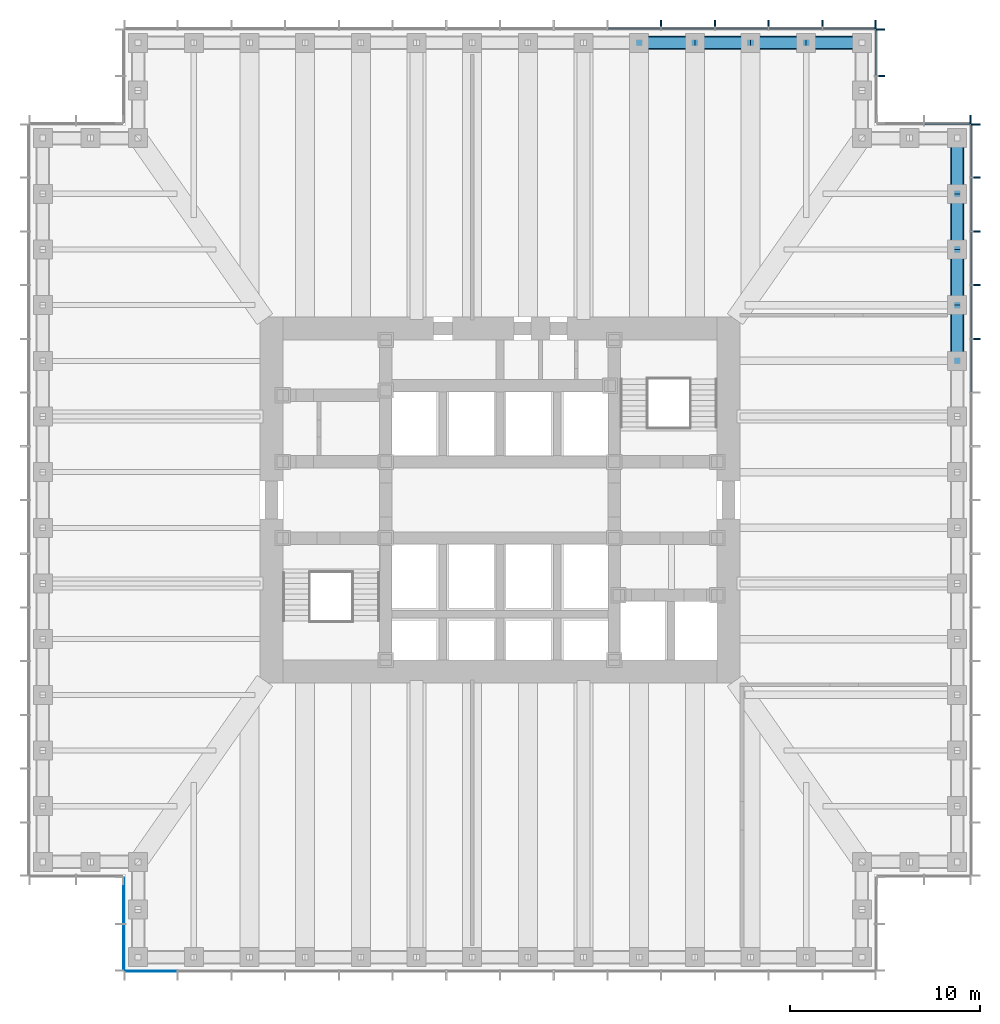
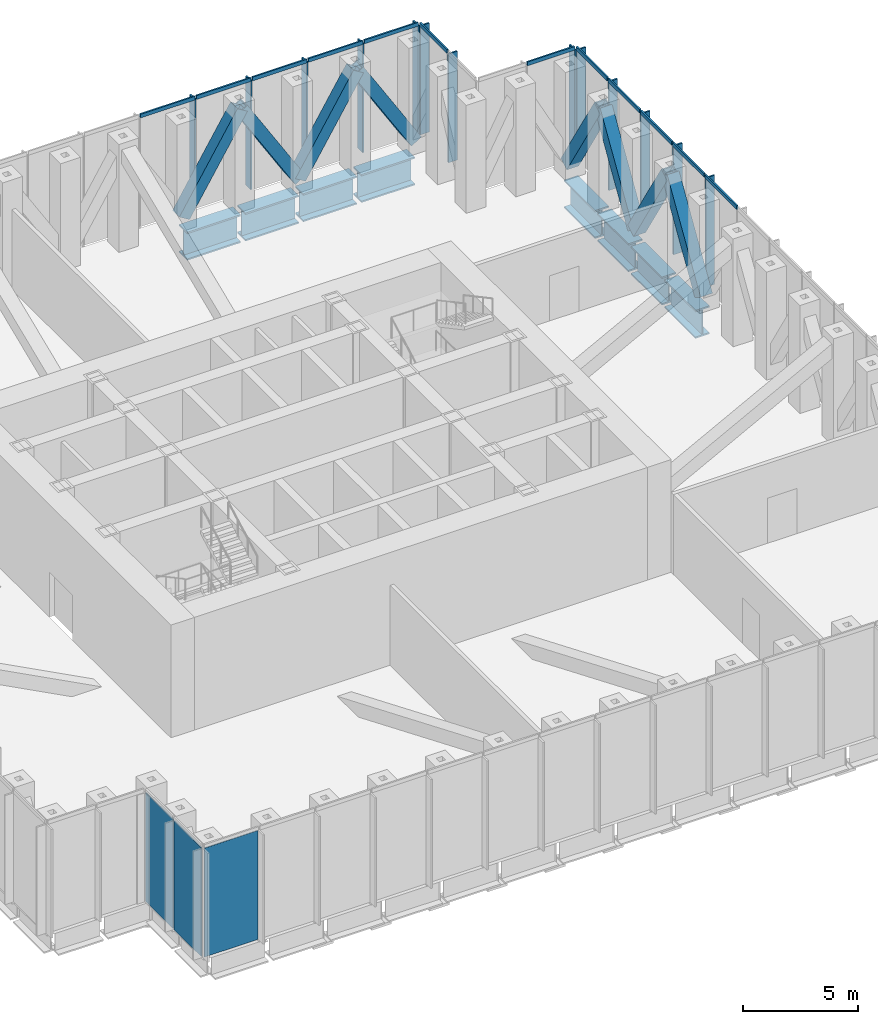
# One storey, part 6 of 15: 33 members, 8 beams, 3 plates, 6 elements without a shape of their own.
"""IFC4 building model written with IfcOpenShell, lengths in metres."""

from ifc_helpers import new_model, si_unit, direction, frame, origin, origin_2d, place, context, subcontext, project, spatial, rectangle, hollow_rectangle, i_section, extrude, material, layer, layer_set, material_profile, profile_set, type_object, element, aggregate, save


model = new_model("IFC4")

# Units and contexts
model_context = context("Model", 3, precision=1e-05, world=origin(), true_north=direction((0.0, 1.0)))
body_context = subcontext(model_context, "Body", "Model", "MODEL_VIEW")
ifc_project = project(units=[si_unit("LENGTHUNIT", "METRE"), si_unit("AREAUNIT", "SQUARE_METRE"), si_unit("VOLUMEUNIT", "CUBIC_METRE"), si_unit("PLANEANGLEUNIT", "RADIAN"), si_unit("MASSUNIT", "GRAM", prefix="KILO")], contexts=[model_context])

# Site, building, storey
site_placement = place(None, origin())
site = spatial("IfcSite", under=ifc_project, at=site_placement, CompositionType="ELEMENT")
building_placement = place(site_placement, origin())
building = spatial("IfcBuilding", under=site, at=building_placement, Name="Daluyong Arena Tower", CompositionType="ELEMENT")
storey_placement = place(building_placement, frame((0.0, 0.0, 102.10009765625)))
storey = spatial("IfcBuildingStorey", under=building, at=storey_placement, Name="L22", CompositionType="ELEMENT", Elevation=102.10009765625)

# Members
ifc_material_1 = material(Name="Steel ASTM A572 Grade 50", Category="steel")
ifc_material_profile_1 = material_profile(ifc_material_1, hollow_rectangle(XDim=0.60009765625, YDim=0.60009765625, WallThickness=0.05, at=origin_2d()))
ifc_profile_set_1 = profile_set([ifc_material_profile_1], Name="Steel ASTM A572 Grade 50")
member_type_1 = type_object("IfcMemberType", Name="Belt truss diagonal BX600X50", PredefinedType="BRACE", material=ifc_profile_set_1)
for number, where, z_axis, x_axis, name in (
    (1, (80.0, 87.3076171875, 0.5), (0.0, 0.524099867959, 0.851656813749), (-1.0, 0.0, 0.0), "belt truss diagonal BT1"),
    (2, (80.0, 93.15380859375, 0.5), (0.0, -0.524099867959, 0.851656813749), (1.0, 0.0, 0.0), "belt truss diagonal BT1"),
    (3, (80.0, 93.15380859375, 0.5), (0.0, 0.524099867959, 0.851656813749), (-1.0, 0.0, 0.0), "belt truss diagonal BT1"),
    (4, (80.0, 99.0, 0.5), (0.0, -0.524099867959, 0.851656813749), (1.0, 0.0, 0.0), "belt truss diagonal BT1"),
    (5, (75.0, 104.0, 0.5), (-0.524099867959, 0.0, 0.851656813749), (0.0, -1.0, 0.0), "belt truss diagonal BT1"),
    (6, (69.15380859375, 104.0, 0.5), (0.524099867959, 0.0, 0.851656813749), (0.0, 1.0, 0.0), "belt truss diagonal BT1"),
    (7, (69.15380859375, 104.0, 0.5), (-0.524099867959, 0.0, 0.851656813749), (0.0, -1.0, 0.0), "belt truss diagonal BT1"),
    (8, (63.3076171875, 104.0, 0.5), (0.524099867959, 0.0, 0.851656813749), (0.0, 1.0, 0.0), "belt truss diagonal BT1"),
):
    element("IfcMember", number, at=place(storey_placement, frame(where, z_axis=z_axis, x_axis=x_axis)), inside=storey, type_object=member_type_1, Name=name, PredefinedType="BRACE", context=body_context, shape_type="SweptSolid", body=[
        extrude(hollow_rectangle(XDim=0.60009765625, YDim=0.60009765625, WallThickness=0.05, at=origin_2d()), origin(), (0.0, 0.0, 1.0), 5.577392578125),
    ])

# Curtain wall, members
ifc_material_2 = material(Name="Bronze anodised aluminium and glass", Category="aluminium")
curtain_wall_type = type_object("IfcCurtainWallType", Name="Curtain wall CW6", PredefinedType="USERDEFINED", material=ifc_material_2)
curtain_wall_1_placement = place(storey_placement, origin())
curtain_wall_1 = element("IfcCurtainWall", 9, at=curtain_wall_1_placement, inside=storey, type_object=curtain_wall_type, Name="curtain wall L22 E", ObjectType="UNITISED CURTAIN WALL", PredefinedType="USERDEFINED")
ifc_material_3 = material(Name="Bronze anodised aluminium fin", Category="aluminium")
ifc_material_profile_2 = material_profile(ifc_material_3, rectangle(XDim=0.449951171875, YDim=0.080078125, at=origin_2d()))
ifc_profile_set_2 = profile_set([ifc_material_profile_2], Name="Bronze anodised aluminium fin")
member_type_2 = type_object("IfcMemberType", Name="CW6 bronze fin 450x80", PredefinedType="MULLION", material=ifc_profile_set_2)
member_1_placement = place(storey_placement, frame((80.97509765625, 88.46435546875, 0.0), z_axis=(0.0, 0.0, 1.0), x_axis=(-1.0, 0.0, 0.0)))
member_1 = element("IfcMember", 10, at=member_1_placement, type_object=member_type_2, Name="curtain wall L22 E fin 11", PredefinedType="MULLION", context=body_context, shape_type="SweptSolid", body=[
    extrude(rectangle(XDim=0.449951171875, YDim=0.080078125, at=origin_2d()), origin(), (0.0, 0.0, 1.0), 5.7998046875),
])
member_2_placement = place(storey_placement, frame((80.97509765625, 91.28564453125, 0.0), z_axis=(0.0, 0.0, 1.0), x_axis=(-1.0, 0.0, 0.0)))
member_2 = element("IfcMember", 11, at=member_2_placement, type_object=member_type_2, Name="curtain wall L22 E fin 12", PredefinedType="MULLION", context=body_context, shape_type="SweptSolid", body=[
    extrude(rectangle(XDim=0.449951171875, YDim=0.080078125, at=origin_2d()), origin(), (0.0, 0.0, 1.0), 5.7998046875),
])
member_3_placement = place(storey_placement, frame((80.97509765625, 94.107177734375, 0.0), z_axis=(0.0, 0.0, 1.0), x_axis=(-1.0, 0.0, 0.0)))
member_3 = element("IfcMember", 12, at=member_3_placement, type_object=member_type_2, Name="curtain wall L22 E fin 13", PredefinedType="MULLION", context=body_context, shape_type="SweptSolid", body=[
    extrude(rectangle(XDim=0.449951171875, YDim=0.080078125, at=origin_2d()), origin(), (0.0, 0.0, 1.0), 5.7998046875),
])
member_4_placement = place(storey_placement, frame((80.97509765625, 96.928466796875, 0.0), z_axis=(0.0, 0.0, 1.0), x_axis=(-1.0, 0.0, 0.0)))
member_4 = element("IfcMember", 13, at=member_4_placement, type_object=member_type_2, Name="curtain wall L22 E fin 14", PredefinedType="MULLION", context=body_context, shape_type="SweptSolid", body=[
    extrude(rectangle(XDim=0.449951171875, YDim=0.080078125, at=origin_2d()), origin(), (0.0, 0.0, 1.0), 5.7998046875),
])
member_5_placement = place(storey_placement, frame((80.97509765625, 99.7099609375, 0.0), z_axis=(0.0, 0.0, 1.0), x_axis=(-1.0, 0.0, 0.0)))
member_5 = element("IfcMember", 14, at=member_5_placement, type_object=member_type_2, Name="curtain wall L22 E fin 15", PredefinedType="MULLION", context=body_context, shape_type="SweptSolid", body=[
    extrude(rectangle(XDim=0.449951171875, YDim=0.080078125, at=origin_2d()), origin(), (0.0, 0.0, 1.0), 5.7998046875),
])

# Curtain wall, member
curtain_wall_2_placement = place(storey_placement, origin())
curtain_wall_2 = element("IfcCurtainWall", 15, at=curtain_wall_2_placement, inside=storey, type_object=curtain_wall_type, Name="curtain wall L22 NE-N", ObjectType="UNITISED CURTAIN WALL", PredefinedType="USERDEFINED")
member_6_placement = place(storey_placement, frame((80.7099609375, 99.97509765625, 0.0), z_axis=(0.0, 0.0, 1.0), x_axis=(0.0, -1.0, 0.0)))
member_6 = element("IfcMember", 16, at=member_6_placement, type_object=member_type_2, Name="curtain wall L22 NE-N fin 1", PredefinedType="MULLION", context=body_context, shape_type="SweptSolid", body=[
    extrude(rectangle(XDim=0.449951171875, YDim=0.080078125, at=origin_2d()), origin(), (0.0, 0.0, 1.0), 5.7998046875),
])

# Curtain wall, members
curtain_wall_3_placement = place(storey_placement, origin())
curtain_wall_3 = element("IfcCurtainWall", 17, at=curtain_wall_3_placement, inside=storey, type_object=curtain_wall_type, Name="curtain wall L22 NE-E", ObjectType="UNITISED CURTAIN WALL", PredefinedType="USERDEFINED")
member_7_placement = place(storey_placement, frame((75.97509765625, 102.25, 0.0), z_axis=(0.0, 0.0, 1.0), x_axis=(-1.0, 0.0, 0.0)))
member_7 = element("IfcMember", 18, at=member_7_placement, type_object=member_type_2, Name="curtain wall L22 NE-E fin 2", PredefinedType="MULLION", context=body_context, shape_type="SweptSolid", body=[
    extrude(rectangle(XDim=0.449951171875, YDim=0.080078125, at=origin_2d()), origin(), (0.0, 0.0, 1.0), 5.7998046875),
])
member_8_placement = place(storey_placement, frame((75.97509765625, 104.7099609375, 0.0), z_axis=(0.0, 0.0, 1.0), x_axis=(-1.0, 0.0, 0.0)))
member_8 = element("IfcMember", 19, at=member_8_placement, type_object=member_type_2, Name="curtain wall L22 NE-E fin 3", PredefinedType="MULLION", context=body_context, shape_type="SweptSolid", body=[
    extrude(rectangle(XDim=0.449951171875, YDim=0.080078125, at=origin_2d()), origin(), (0.0, 0.0, 1.0), 5.7998046875),
])

curtain_wall_4_placement = place(storey_placement, origin())
curtain_wall_4 = element("IfcCurtainWall", 20, at=curtain_wall_4_placement, inside=storey, type_object=curtain_wall_type, Name="curtain wall L22 N", ObjectType="UNITISED CURTAIN WALL", PredefinedType="USERDEFINED")
member_9_placement = place(storey_placement, frame((75.7099609375, 104.97509765625, 0.0), z_axis=(0.0, 0.0, 1.0), x_axis=(0.0, -1.0, 0.0)))
member_9 = element("IfcMember", 21, at=member_9_placement, type_object=member_type_2, Name="curtain wall L22 N fin 1", PredefinedType="MULLION", context=body_context, shape_type="SweptSolid", body=[
    extrude(rectangle(XDim=0.449951171875, YDim=0.080078125, at=origin_2d()), origin(), (0.0, 0.0, 1.0), 5.7998046875),
])
member_10_placement = place(storey_placement, frame((72.928466796875, 104.97509765625, 0.0), z_axis=(0.0, 0.0, 1.0), x_axis=(0.0, -1.0, 0.0)))
member_10 = element("IfcMember", 22, at=member_10_placement, type_object=member_type_2, Name="curtain wall L22 N fin 2", PredefinedType="MULLION", context=body_context, shape_type="SweptSolid", body=[
    extrude(rectangle(XDim=0.449951171875, YDim=0.080078125, at=origin_2d()), origin(), (0.0, 0.0, 1.0), 5.7998046875),
])
member_11_placement = place(storey_placement, frame((70.107177734375, 104.97509765625, 0.0), z_axis=(0.0, 0.0, 1.0), x_axis=(0.0, -1.0, 0.0)))
member_11 = element("IfcMember", 23, at=member_11_placement, type_object=member_type_2, Name="curtain wall L22 N fin 3", PredefinedType="MULLION", context=body_context, shape_type="SweptSolid", body=[
    extrude(rectangle(XDim=0.449951171875, YDim=0.080078125, at=origin_2d()), origin(), (0.0, 0.0, 1.0), 5.7998046875),
])
member_12_placement = place(storey_placement, frame((67.28564453125, 104.97509765625, 0.0), z_axis=(0.0, 0.0, 1.0), x_axis=(0.0, -1.0, 0.0)))
member_12 = element("IfcMember", 24, at=member_12_placement, type_object=member_type_2, Name="curtain wall L22 N fin 4", PredefinedType="MULLION", context=body_context, shape_type="SweptSolid", body=[
    extrude(rectangle(XDim=0.449951171875, YDim=0.080078125, at=origin_2d()), origin(), (0.0, 0.0, 1.0), 5.7998046875),
])
member_13_placement = place(storey_placement, frame((64.46435546875, 104.97509765625, 0.0), z_axis=(0.0, 0.0, 1.0), x_axis=(0.0, -1.0, 0.0)))
member_13 = element("IfcMember", 25, at=member_13_placement, type_object=member_type_2, Name="curtain wall L22 N fin 5", PredefinedType="MULLION", context=body_context, shape_type="SweptSolid", body=[
    extrude(rectangle(XDim=0.449951171875, YDim=0.080078125, at=origin_2d()), origin(), (0.0, 0.0, 1.0), 5.7998046875),
])

# Member
ifc_material_4 = material(Name="Bronze anodised aluminium", Category="aluminium")
ifc_material_profile_3 = material_profile(ifc_material_4, rectangle(XDim=0.080078125, YDim=0.199951171875, at=origin_2d()))
ifc_profile_set_3 = profile_set([ifc_material_profile_3], Name="Bronze anodised aluminium")
member_type_3 = type_object("IfcMemberType", Name="CW6 stack transom 200x80", PredefinedType="USERDEFINED", material=ifc_profile_set_3)
member_14_placement = place(storey_placement, frame((80.75, 85.682861328125, 5.89990234375), z_axis=(0.0, 1.0, 0.0), x_axis=(-1.0, 0.0, 0.0)))
member_14 = element("IfcMember", 26, at=member_14_placement, type_object=member_type_3, Name="curtain wall L22 E transom 10", ObjectType="TRANSOM", PredefinedType="USERDEFINED", context=body_context, shape_type="SweptSolid", body=[
    extrude(rectangle(XDim=0.080078125, YDim=0.199951171875, at=origin_2d()), origin(), (0.0, 0.0, 1.0), 2.741455078125),
])

member_15_placement = place(storey_placement, frame((80.75, 88.50439453125, 5.89990234375), z_axis=(0.0, 1.0, 0.0), x_axis=(-1.0, 0.0, 0.0)))
member_15 = element("IfcMember", 27, at=member_15_placement, type_object=member_type_3, Name="curtain wall L22 E transom 11", ObjectType="TRANSOM", PredefinedType="USERDEFINED", context=body_context, shape_type="SweptSolid", body=[
    extrude(rectangle(XDim=0.080078125, YDim=0.199951171875, at=origin_2d()), origin(), (0.0, 0.0, 1.0), 2.7412109375),
])

member_16_placement = place(storey_placement, frame((80.75, 91.32568359375, 5.89990234375), z_axis=(0.0, 1.0, 0.0), x_axis=(-1.0, 0.0, 0.0)))
member_16 = element("IfcMember", 28, at=member_16_placement, type_object=member_type_3, Name="curtain wall L22 E transom 12", ObjectType="TRANSOM", PredefinedType="USERDEFINED", context=body_context, shape_type="SweptSolid", body=[
    extrude(rectangle(XDim=0.080078125, YDim=0.199951171875, at=origin_2d()), origin(), (0.0, 0.0, 1.0), 2.741455078125),
])

member_17_placement = place(storey_placement, frame((80.75, 94.147216796875, 5.89990234375), z_axis=(0.0, 1.0, 0.0), x_axis=(-1.0, 0.0, 0.0)))
member_17 = element("IfcMember", 29, at=member_17_placement, type_object=member_type_3, Name="curtain wall L22 E transom 13", ObjectType="TRANSOM", PredefinedType="USERDEFINED", context=body_context, shape_type="SweptSolid", body=[
    extrude(rectangle(XDim=0.080078125, YDim=0.199951171875, at=origin_2d()), origin(), (0.0, 0.0, 1.0), 2.741455078125),
])

member_18_placement = place(storey_placement, frame((80.75, 96.968505859375, 5.89990234375), z_axis=(0.0, 1.0, 0.0), x_axis=(-1.0, 0.0, 0.0)))
member_18 = element("IfcMember", 30, at=member_18_placement, type_object=member_type_3, Name="curtain wall L22 E transom 14", ObjectType="TRANSOM", PredefinedType="USERDEFINED", context=body_context, shape_type="SweptSolid", body=[
    extrude(rectangle(XDim=0.080078125, YDim=0.199951171875, at=origin_2d()), origin(), (0.0, 0.0, 1.0), 2.701416015625),
])

aggregate(curtain_wall_1, [member_1, member_2, member_3, member_4, member_5, member_14, member_15, member_16, member_17, member_18])

member_19_placement = place(storey_placement, frame((80.669921875, 99.75, 5.89990234375), z_axis=(-1.0, 0.0, 0.0), x_axis=(0.0, -1.0, 0.0)))
member_19 = element("IfcMember", 31, at=member_19_placement, type_object=member_type_3, Name="curtain wall L22 NE-N transom 1", ObjectType="TRANSOM", PredefinedType="USERDEFINED", context=body_context, shape_type="SweptSolid", body=[
    extrude(rectangle(XDim=0.080078125, YDim=0.199951171875, at=origin_2d()), origin(), (0.0, 0.0, 1.0), 2.3798828125),
])

aggregate(curtain_wall_2, [member_6, member_19])

member_20_placement = place(storey_placement, frame((75.75, 102.2900390625, 5.89990234375), z_axis=(0.0, 1.0, 0.0), x_axis=(-1.0, 0.0, 0.0)))
member_20 = element("IfcMember", 32, at=member_20_placement, type_object=member_type_3, Name="curtain wall L22 NE-E transom 2", ObjectType="TRANSOM", PredefinedType="USERDEFINED", context=body_context, shape_type="SweptSolid", body=[
    extrude(rectangle(XDim=0.080078125, YDim=0.199951171875, at=origin_2d()), origin(), (0.0, 0.0, 1.0), 2.3798828125),
])

aggregate(curtain_wall_3, [member_7, member_8, member_20])

member_21_placement = place(storey_placement, frame((75.669921875, 104.75, 5.89990234375), z_axis=(-1.0, 0.0, 0.0), x_axis=(0.0, -1.0, 0.0)))
member_21 = element("IfcMember", 33, at=member_21_placement, type_object=member_type_3, Name="curtain wall L22 N transom 1", ObjectType="TRANSOM", PredefinedType="USERDEFINED", context=body_context, shape_type="SweptSolid", body=[
    extrude(rectangle(XDim=0.080078125, YDim=0.199951171875, at=origin_2d()), origin(), (0.0, 0.0, 1.0), 2.701416015625),
])

member_22_placement = place(storey_placement, frame((72.888671875, 104.75, 5.89990234375), z_axis=(-1.0, 0.0, 0.0), x_axis=(0.0, -1.0, 0.0)))
member_22 = element("IfcMember", 34, at=member_22_placement, type_object=member_type_3, Name="curtain wall L22 N transom 2", ObjectType="TRANSOM", PredefinedType="USERDEFINED", context=body_context, shape_type="SweptSolid", body=[
    extrude(rectangle(XDim=0.080078125, YDim=0.199951171875, at=origin_2d()), origin(), (0.0, 0.0, 1.0), 2.741455078125),
])

member_23_placement = place(storey_placement, frame((70.067138671875, 104.75, 5.89990234375), z_axis=(-1.0, 0.0, 0.0), x_axis=(0.0, -1.0, 0.0)))
member_23 = element("IfcMember", 35, at=member_23_placement, type_object=member_type_3, Name="curtain wall L22 N transom 3", ObjectType="TRANSOM", PredefinedType="USERDEFINED", context=body_context, shape_type="SweptSolid", body=[
    extrude(rectangle(XDim=0.080078125, YDim=0.199951171875, at=origin_2d()), origin(), (0.0, 0.0, 1.0), 2.741455078125),
])

member_24_placement = place(storey_placement, frame((67.24560546875, 104.75, 5.89990234375), z_axis=(-1.0, 0.0, 0.0), x_axis=(0.0, -1.0, 0.0)))
member_24 = element("IfcMember", 36, at=member_24_placement, type_object=member_type_3, Name="curtain wall L22 N transom 4", ObjectType="TRANSOM", PredefinedType="USERDEFINED", context=body_context, shape_type="SweptSolid", body=[
    extrude(rectangle(XDim=0.080078125, YDim=0.199951171875, at=origin_2d()), origin(), (0.0, 0.0, 1.0), 2.7412109375),
])

member_25_placement = place(storey_placement, frame((64.42431640625, 104.75, 5.89990234375), z_axis=(-1.0, 0.0, 0.0), x_axis=(0.0, -1.0, 0.0)))
member_25 = element("IfcMember", 37, at=member_25_placement, type_object=member_type_3, Name="curtain wall L22 N transom 5", ObjectType="TRANSOM", PredefinedType="USERDEFINED", context=body_context, shape_type="SweptSolid", body=[
    extrude(rectangle(XDim=0.080078125, YDim=0.199951171875, at=origin_2d()), origin(), (0.0, 0.0, 1.0), 2.741455078125),
])

aggregate(curtain_wall_4, [member_9, member_10, member_11, member_12, member_13, member_21, member_22, member_23, member_24, member_25])

# Beams
ifc_material_5 = material(Name="Steel ASTM A572 Grade 50", Category="steel")
ifc_material_profile_4 = material_profile(ifc_material_5, i_section(OverallWidth=0.699951171875, OverallDepth=1.5, WebThickness=0.04, FlangeThickness=0.08, at=origin_2d()))
ifc_profile_set_4 = profile_set([ifc_material_profile_4], Name="Steel ASTM A572 Grade 50")
beam_type = type_object("IfcBeamType", Name="Spandrel Z1 PG1500X700", PredefinedType="SPANDREL", material=ifc_profile_set_4)
for number, where, z_axis, x_axis, name in (
    (38, (80.0, 87.422607421875, -1.0), (0.0, 1.0, 0.0), (-1.0, 0.0, 0.0), "spandrel z1 SB4"),
    (39, (80.0, 90.345703125, -1.0), (0.0, 1.0, 0.0), (-1.0, 0.0, 0.0), "spandrel z1 SB4"),
    (40, (80.0, 93.268798828125, -1.0), (0.0, 1.0, 0.0), (-1.0, 0.0, 0.0), "spandrel z1 SB4"),
    (41, (80.0, 96.19189453125, -1.0), (0.0, 1.0, 0.0), (-1.0, 0.0, 0.0), "spandrel z1 SB4"),
    (42, (74.885009765625, 104.0, -1.0), (-1.0, 0.0, 0.0), (0.0, -1.0, 0.0), "spandrel z1 SB4"),
    (43, (71.9619140625, 104.0, -1.0), (-1.0, 0.0, 0.0), (0.0, -1.0, 0.0), "spandrel z1 SB4"),
    (44, (69.038818359375, 104.0, -1.0), (-1.0, 0.0, 0.0), (0.0, -1.0, 0.0), "spandrel z1 SB4"),
    (45, (66.11572265625, 104.0, -1.0), (-1.0, 0.0, 0.0), (0.0, -1.0, 0.0), "spandrel z1 SB4"),
):
    element("IfcBeam", number, at=place(storey_placement, frame(where, z_axis=z_axis, x_axis=x_axis)), inside=storey, type_object=beam_type, Name=name, PredefinedType="SPANDREL", context=body_context, shape_type="SweptSolid", body=[
        extrude(i_section(OverallWidth=0.699951171875, OverallDepth=1.5, WebThickness=0.04, FlangeThickness=0.08, at=origin_2d()), origin(), (0.0, 0.0, 1.0), 2.693115234375),
    ])

# Curtain wall, plate
curtain_wall_5_placement = place(storey_placement, origin())
curtain_wall_5 = element("IfcCurtainWall", 46, at=curtain_wall_5_placement, inside=storey, type_object=curtain_wall_type, Name="curtain wall L22 S", ObjectType="UNITISED CURTAIN WALL", PredefinedType="USERDEFINED")
ifc_material_6 = material(Name="Bronze aluminium louvre panel", Category="aluminium")
ifc_layer = layer(ifc_material_6, 0.050048828125)
ifc_layer_set = layer_set([ifc_layer], Name="Bronze aluminium louvre panel")
plate_type = type_object("IfcPlateType", Name="CW6 panel 50", PredefinedType="CURTAIN_PANEL", material=ifc_layer_set)
plate_1_placement = place(storey_placement, frame((37.6806640625, 55.25, 0.0), z_axis=(0.0, 0.0, 1.0), x_axis=(1.0, 0.0, 0.0)))
plate_1 = element("IfcPlate", 47, at=plate_1_placement, type_object=plate_type, Name="curtain wall L22 S panel 1", PredefinedType="CURTAIN_PANEL", context=body_context, shape_type="SweptSolid", body=[
    extrude(rectangle(XDim=2.701416015625, YDim=0.050048828125, at=origin_2d()), origin(), (0.0, 0.0, 1.0), 5.800048828125),
])
aggregate(curtain_wall_5, [plate_1])

# Curtain wall, plates
curtain_wall_6_placement = place(storey_placement, origin())
curtain_wall_6 = element("IfcCurtainWall", 48, at=curtain_wall_6_placement, inside=storey, type_object=curtain_wall_type, Name="curtain wall L22 SW-W", ObjectType="UNITISED CURTAIN WALL", PredefinedType="USERDEFINED")
plate_2_placement = place(storey_placement, frame((36.25, 58.97998046875, 0.0), z_axis=(0.0, 0.0, 1.0), x_axis=(0.0, -1.0, 0.0)))
plate_2 = element("IfcPlate", 49, at=plate_2_placement, type_object=plate_type, Name="curtain wall L22 SW-W panel 1", PredefinedType="CURTAIN_PANEL", context=body_context, shape_type="SweptSolid", body=[
    extrude(rectangle(XDim=2.3798828125, YDim=0.050048828125, at=origin_2d()), origin(), (0.0, 0.0, 1.0), 5.800048828125),
])
plate_3_placement = place(storey_placement, frame((36.25, 56.52001953125, 0.0), z_axis=(0.0, 0.0, 1.0), x_axis=(0.0, -1.0, 0.0)))
plate_3 = element("IfcPlate", 50, at=plate_3_placement, type_object=plate_type, Name="curtain wall L22 SW-W panel 2", PredefinedType="CURTAIN_PANEL", context=body_context, shape_type="SweptSolid", body=[
    extrude(rectangle(XDim=2.3798828125, YDim=0.050048828125, at=origin_2d()), origin(), (0.0, 0.0, 1.0), 5.800048828125),
])
aggregate(curtain_wall_6, [plate_2, plate_3])

save(model, "model.ifc")
